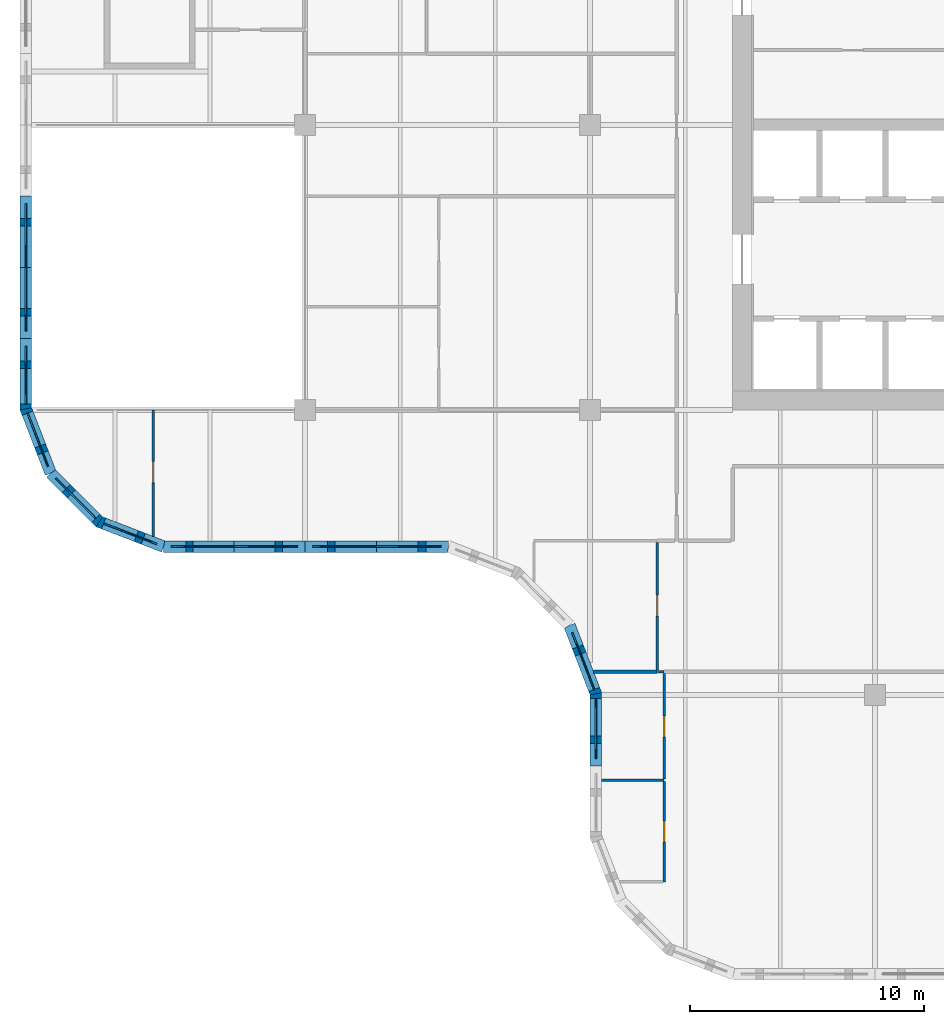
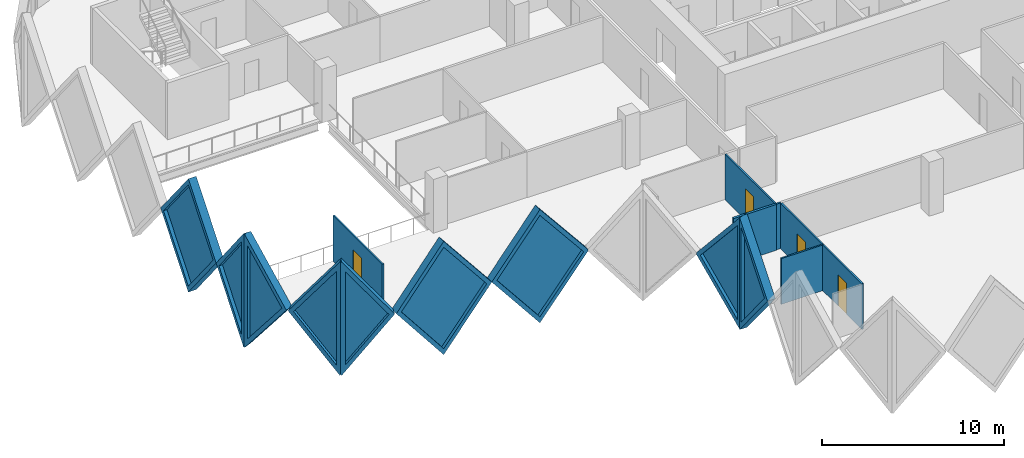
# One storey, part 4 of 18: 16 walls, 9 plates, 4 doors, 13 openings.
"""IFC4 building model written with IfcOpenShell, lengths in metres."""

import ifcopenshell
import ifcopenshell.guid

model = None  # the IFC model being written
_history = None  # IfcOwnerHistory: only IFC2X3 demands one
_inside = {}  # id of a spatial element -> (the spatial element, [elements in it])
_under = {}  # id of a project, library or spatial element -> (it, [spatial elements below it])
_declared = {}  # id of a project -> (the project, [libraries it declares])
_typed = {}  # id of a type object -> (the type object, [elements of that type])
_made_of = {}  # id of a material, layer set ... -> (it, [elements and type objects made of it])


def new_model(schema):
    """Start an empty IFC model of exactly this schema.

    Asked for "IFC4X3", IfcOpenShell would pick the latest addendum, in which some entities
    have other attributes; the version numbers below select the first issue.
    IFC2X3 requires an IfcOwnerHistory on every rooted entity: one is made here for all.
    """
    global model, _history
    if schema == "IFC4X3":
        model = ifcopenshell.file(schema_version=(4, 3, 0, 0))
    else:
        model = ifcopenshell.file(schema=schema)
    _inside.clear()
    _under.clear()
    _declared.clear()
    _typed.clear()
    _made_of.clear()
    _history = None
    if model.schema == "IFC2X3":
        org = make("IfcOrganization", Name="unknown")
        user = make(
            "IfcPersonAndOrganization",
            ThePerson=make("IfcPerson", FamilyName="unknown"),
            TheOrganization=org,
        )
        app = make(
            "IfcApplication",
            ApplicationDeveloper=org,
            Version="unknown",
            ApplicationFullName="unknown",
            ApplicationIdentifier="unknown",
        )
        _history = make(
            "IfcOwnerHistory",
            OwningUser=user,
            OwningApplication=app,
            ChangeAction="ADDED",
            CreationDate=0,
        )
    return model


def make(cls, **values):
    """One entity of the class cls with the attributes given. An attribute that is None is left unset."""
    return model.create_entity(
        cls, **{name: value for name, value in values.items() if value is not None}
    )


def rooted(cls, **values):
    """An entity with a GlobalId (a new one), such as an element, a storey or a relation."""
    return make(cls, GlobalId=ifcopenshell.guid.new(), OwnerHistory=_history, **values)


def si_unit(unit_type, name, prefix=None):
    """IfcSIUnit, for example si_unit("LENGTHUNIT", "METRE", prefix="MILLI")."""
    return make("IfcSIUnit", UnitType=unit_type, Prefix=prefix, Name=name)


def assignment(units):
    """IfcUnitAssignment: the units of a project."""
    return None if units is None else make("IfcUnitAssignment", Units=units)


def point(xyz):
    """IfcCartesianPoint."""
    return None if xyz is None else make("IfcCartesianPoint", Coordinates=xyz)


def direction(xyz):
    """IfcDirection."""
    return None if xyz is None else make("IfcDirection", DirectionRatios=xyz)


def frame(location, z_axis=None, x_axis=None):
    """IfcAxis2Placement3D, a coordinate frame: its origin and axes. An axis left out is left unset."""
    return make(
        "IfcAxis2Placement3D",
        Location=point(location),
        Axis=direction(z_axis),
        RefDirection=direction(x_axis),
    )


def frame_2d(location, x_axis=None):
    """IfcAxis2Placement2D, a coordinate frame in the plane: its origin and x axis."""
    return make(
        "IfcAxis2Placement2D", Location=point(location), RefDirection=direction(x_axis)
    )


def origin():
    """The frame at (0, 0, 0) with its axes left unset."""
    return frame((0.0, 0.0, 0.0))


def place(relative_to, where):
    """IfcLocalPlacement: puts the frame where relative to a parent placement (None: the world)."""
    return make(
        "IfcLocalPlacement", PlacementRelTo=relative_to, RelativePlacement=where
    )


def context(
    kind, dimensions, precision=None, world=None, true_north=None, identifier=None
):
    """IfcGeometricRepresentationContext, for example the 3D "Model" context."""
    return make(
        "IfcGeometricRepresentationContext",
        ContextIdentifier=identifier,
        ContextType=kind,
        CoordinateSpaceDimension=dimensions,
        Precision=precision,
        WorldCoordinateSystem=world,
        TrueNorth=true_north,
    )


def subcontext(parent, identifier, kind, view, scale=None):
    """IfcGeometricRepresentationSubContext, for example "Body" below "Model"."""
    return make(
        "IfcGeometricRepresentationSubContext",
        ContextIdentifier=identifier,
        ContextType=kind,
        ParentContext=parent,
        TargetScale=scale,
        TargetView=view,
    )


def project(units=None, contexts=None):
    """IfcProject with its units and contexts."""
    return rooted(
        "IfcProject",
        Name="project",
        RepresentationContexts=contexts,
        UnitsInContext=assignment(units),
    )


def spatial(cls, under=None, at=None, **own):
    """A site, building, storey or space (cls), placed at a placement, below another one or the project."""
    s = rooted(cls, ObjectPlacement=at, **own)
    if under is not None:
        _under.setdefault(under.id(), (under, []))[1].append(s)
    return s


def polyline(points):
    """IfcPolyline through the points."""
    return make("IfcPolyline", Points=[point(p) for p in points])


def profile(cls, at=None, kind="AREA", **sizes):
    """A parametric profile (cls). Its sizes go by their IFC names, for example OverallWidth=200.0."""
    return make(cls, ProfileType=kind, Position=at, **sizes)


def rectangle(**sizes):
    """IfcRectangleProfileDef."""
    return profile("IfcRectangleProfileDef", **sizes)


def outline(outer, holes=None, kind="AREA"):
    """IfcArbitraryClosedProfileDef: a profile drawn as a closed curve; with holes, ...WithVoids."""
    if holes is None:
        return make("IfcArbitraryClosedProfileDef", ProfileType=kind, OuterCurve=outer)
    return make(
        "IfcArbitraryProfileDefWithVoids",
        ProfileType=kind,
        OuterCurve=outer,
        InnerCurves=holes,
    )


def extrude(swept, where, along, depth):
    """IfcExtrudedAreaSolid: the profile swept, set in the frame where, extruded along a direction by depth."""
    return make(
        "IfcExtrudedAreaSolid",
        SweptArea=swept,
        Position=where,
        ExtrudedDirection=direction(along),
        Depth=depth,
    )


def faces_of(points, faces, orient=None, outer=None):
    """IfcFace entities. A face is a list of loops; a loop is a list of indices into points, from 0.

    orient and outer hold one flag for each loop. By default every Orientation is true, the
    first loop of a face is its IfcFaceOuterBound and the others are IfcFaceBound.
    """
    made = []
    for i, loops in enumerate(faces):
        bounds = []
        for j, loop in enumerate(loops):
            is_outer = j == 0 if outer is None else outer[i][j]
            bounds.append(
                make(
                    "IfcFaceOuterBound" if is_outer else "IfcFaceBound",
                    Bound=make("IfcPolyLoop", Polygon=[points[k] for k in loop]),
                    Orientation=True if orient is None else orient[i][j],
                )
            )
        made.append(make("IfcFace", Bounds=bounds))
    return made


def faceted_brep(points, faces, orient=None, outer=None, voids=None):
    """IfcFacetedBrep: a solid bounded by flat faces; with voids (closed shells), ...WithVoids."""
    shared = [point(p) for p in points]
    hull = make("IfcClosedShell", CfsFaces=faces_of(shared, faces, orient, outer))
    if voids is None:
        return make("IfcFacetedBrep", Outer=hull)
    return make(
        "IfcFacetedBrepWithVoids",
        Outer=hull,
        Voids=[
            make(cls, CfsFaces=faces_of(shared, fs, o, b)) for cls, fs, o, b in voids
        ],
    )


def shape(context_of_items, identifier, shape_type, items):
    """IfcShapeRepresentation: the items that make up one representation, for example the "Body"."""
    return make(
        "IfcShapeRepresentation",
        ContextOfItems=context_of_items,
        RepresentationIdentifier=identifier,
        RepresentationType=shape_type,
        Items=items,
    )


def source(mapping_origin, context_of_items, identifier, shape_type, items):
    """IfcRepresentationMap: a shape defined once, which mapped items show again and again."""
    return make(
        "IfcRepresentationMap",
        MappingOrigin=mapping_origin,
        MappedRepresentation=shape(context_of_items, identifier, shape_type, items),
    )


def transform(
    local_origin,
    x_axis=None,
    y_axis=None,
    z_axis=None,
    scale=None,
    scale2=None,
    scale3=None,
    uniform=True,
):
    """IfcCartesianTransformationOperator3D, or its non-uniform kind. x_axis, y_axis, z_axis: its Axis1, 2, 3."""
    if uniform:
        return make(
            "IfcCartesianTransformationOperator3D",
            Axis1=direction(x_axis),
            Axis2=direction(y_axis),
            LocalOrigin=point(local_origin),
            Scale=scale,
            Axis3=direction(z_axis),
        )
    return make(
        "IfcCartesianTransformationOperator3DnonUniform",
        Axis1=direction(x_axis),
        Axis2=direction(y_axis),
        LocalOrigin=point(local_origin),
        Scale=scale,
        Axis3=direction(z_axis),
        Scale2=scale2,
        Scale3=scale3,
    )


def mapped(mapping_source, mapping_target):
    """IfcMappedItem: shows the shape of a source again, moved by a transform."""
    return make(
        "IfcMappedItem", MappingSource=mapping_source, MappingTarget=mapping_target
    )


def material(Name=None, Category=None):
    """IfcMaterial."""
    return make("IfcMaterial", Name=Name, Category=Category)


def layer(
    of_material, thickness, ventilated=None, Name=None, Category=None, Priority=None
):
    """IfcMaterialLayer: one layer of a wall or slab, of a material (None: an air gap)."""
    return make(
        "IfcMaterialLayer",
        Material=of_material,
        LayerThickness=thickness,
        IsVentilated=ventilated,
        Name=Name,
        Category=Category,
        Priority=Priority,
    )


def layer_set(layers, Name=None):
    """IfcMaterialLayerSet."""
    return make("IfcMaterialLayerSet", MaterialLayers=layers, LayerSetName=Name)


def made_of(thing, what):
    """Note that an element or type object is made of a material, layer set ...; save() writes the relation."""
    if what is not None:
        _made_of.setdefault(what.id(), (what, []))[1].append(thing)
    return thing


def type_object(cls, material=None, **own):
    """A type object (cls), such as IfcWallType, which elements share."""
    return made_of(rooted(cls, **own), material)


def element(
    cls,
    number,
    at=None,
    inside=None,
    cuts=None,
    type_object=None,
    material=None,
    context=None,
    identifier="Body",
    shape_type=None,
    held_by="IfcProductDefinitionShape",
    body=None,
    shapes=None,
    **own,
):
    """One element of the class cls, such as IfcWall. Its Tag is "e" and its number.

    at: its placement. inside: the storey or other place that contains it. cuts: it is an
    opening in that element (IfcRelVoidsElement). A single representation is given by context,
    identifier, shape_type and body (its items); several are given by shapes. held_by: the class
    of the entity that holds the representations. save() writes the other relations.
    """
    e = rooted(cls, Tag="e%d" % number, ObjectPlacement=at, **own)
    if body is not None:
        shapes = [shape(context, identifier, shape_type, body)]
    if shapes is not None:
        e.Representation = make(held_by, Representations=shapes)
    if inside is not None:
        _inside.setdefault(inside.id(), (inside, []))[1].append(e)
    if cuts is not None:
        rooted(
            "IfcRelVoidsElement", RelatingBuildingElement=cuts, RelatedOpeningElement=e
        )
    if type_object is not None:
        _typed.setdefault(type_object.id(), (type_object, []))[1].append(e)
    return made_of(e, material)


def fill(opening, filler):
    """IfcRelFillsElement: the door or window that sits in an opening."""
    return rooted(
        "IfcRelFillsElement",
        RelatingOpeningElement=opening,
        RelatedBuildingElement=filler,
    )


def aggregate(whole, parts):
    """IfcRelAggregates: a whole, such as a stair, and the parts it consists of."""
    return rooted("IfcRelAggregates", RelatingObject=whole, RelatedObjects=parts)


def save(model, path):
    """Write the relations noted so far, then the file.

    IfcRelAggregates (storeys below a building ...), IfcRelContainedInSpatialStructure (elements
    in a storey), IfcRelDefinesByType, IfcRelAssociatesMaterial and IfcRelDeclares: one each for
    every whole, place, type object, material and project.
    """
    for whole, parts in _under.values():
        aggregate(whole, parts)
    for where, things in _inside.values():
        rooted(
            "IfcRelContainedInSpatialStructure",
            RelatedElements=things,
            RelatingStructure=where,
        )
    for kind, things in _typed.values():
        rooted("IfcRelDefinesByType", RelatedObjects=things, RelatingType=kind)
    for what, things in _made_of.values():
        rooted("IfcRelAssociatesMaterial", RelatedObjects=things, RelatingMaterial=what)
    for by, libraries in _declared.values():
        rooted("IfcRelDeclares", RelatingContext=by, RelatedDefinitions=libraries)
    model.write(path)


model = new_model("IFC4")

# Units and contexts
model_context = context("Model", 3, precision=1e-05, world=origin(), true_north=direction((0.0, 1.0)))
body_context = subcontext(model_context, "Body", "Model", "MODEL_VIEW")
ifc_project = project(units=[si_unit("LENGTHUNIT", "METRE"), si_unit("AREAUNIT", "SQUARE_METRE"), si_unit("VOLUMEUNIT", "CUBIC_METRE"), si_unit("PLANEANGLEUNIT", "RADIAN"), si_unit("MASSUNIT", "GRAM", prefix="KILO")], contexts=[model_context])

# Site, building, storey
site_placement = place(None, origin())
site = spatial("IfcSite", under=ifc_project, at=site_placement, CompositionType="ELEMENT")
building_placement = place(site_placement, origin())
building = spatial("IfcBuilding", under=site, at=building_placement, Name="Tessera Gate Towers", CompositionType="ELEMENT")
storey_placement = place(building_placement, frame((0.0, 0.0, 95.199951171875)))
storey = spatial("IfcBuildingStorey", under=building, at=storey_placement, Name="L23", CompositionType="ELEMENT", Elevation=95.199951171875)

# Wall, opening, door
ifc_material_1 = material(Name="Glass", Category="glass")
ifc_layer_1 = layer(ifc_material_1, 0.10009765625)
ifc_layer_set_1 = layer_set([ifc_layer_1], Name="GLAZED PARTITION 100")
wall_type_1 = type_object("IfcWallType", Name="GLAZED PARTITION 100", PredefinedType="PARTITIONING", material=ifc_layer_set_1)
wall_1_placement = place(storey_placement, frame((27.574951171875, 4.199951171875, 0.0), z_axis=(0.0, 0.0, 1.0), x_axis=(0.0, 1.0, 0.0)))
wall_1 = element("IfcWall", 1, at=wall_1_placement, inside=storey, type_object=wall_type_1, Name="T1-L23-PW-004", PredefinedType="PARTITIONING", context=body_context, shape_type="SweptSolid", body=[
    extrude(rectangle(XDim=4.296875, YDim=0.10009765625, at=frame_2d((2.1484375, 0.0))), origin(), (0.0, 0.0, 1.0), 3.067138671875),
])
shared_shape_1 = source(origin(), body_context, "Body", "SweptSolid", [
    extrude(rectangle(XDim=0.89990234375, YDim=2.10009765625, at=frame_2d((0.449951171875, 1.050048828125))), frame((0.0, 0.06005859375, 0.0), z_axis=(0.0, -1.0, 0.0), x_axis=(1.0, 0.0, 0.0)), (0.0, 0.0, 1.0), 0.1201171875),
])
opening_1_placement = place(wall_1_placement, frame((1.699951171875, 0.0, 0.0)))
opening_1 = element("IfcOpeningElement", 2, at=opening_1_placement, cuts=wall_1, Name="Opening D690-A08-08", PredefinedType="OPENING", context=body_context, shape_type="MappedRepresentation", body=[
    mapped(shared_shape_1, transform((0.0, 0.0, 0.0), scale=1.0)),
])
ifc_material_2 = material(Name="Glass in aluminium frame", Category="aluminium")
door_type = type_object("IfcDoorType", Name="GLAZED DOOR 900 NOT RATED", OperationType="NOTDEFINED", PredefinedType="DOOR", material=ifc_material_2)
shared_shape_2 = source(origin(), body_context, "Body", "SweptSolid", [
    extrude(rectangle(XDim=0.89990234375, YDim=2.10009765625, at=frame_2d((0.449951171875, 1.050048828125))), frame((0.0, 0.02490234375, 0.0), z_axis=(0.0, -1.0, 0.0), x_axis=(1.0, 0.0, 0.0)), (0.0, 0.0, 1.0), 0.050048828125),
])
door_1_placement = place(opening_1_placement, origin())
door_1 = element("IfcDoor", 3, at=door_1_placement, inside=storey, type_object=door_type, Name="T1-L23-PD-016", OperationType="SINGLE_SWING_LEFT", OverallHeight=2.10009765625, OverallWidth=0.89990234375, PredefinedType="DOOR", context=body_context, shape_type="MappedRepresentation", body=[
    mapped(shared_shape_2, transform((0.0, 0.0, 0.0), scale=1.0)),
])
fill(opening_1, door_1)

wall_2_placement = place(storey_placement, frame((27.574951171875, 8.598876953125, 0.0), z_axis=(0.0, 0.0, 1.0), x_axis=(0.0, 1.0, 0.0)))
wall_2 = element("IfcWall", 4, at=wall_2_placement, inside=storey, type_object=wall_type_1, Name="T1-L23-PW-007", PredefinedType="PARTITIONING", context=body_context, shape_type="SweptSolid", body=[
    extrude(rectangle(XDim=4.525146484375, YDim=0.10009765625, at=frame_2d((2.2626953125, 0.0))), origin(), (0.0, 0.0, 1.0), 3.067138671875),
])
opening_2_placement = place(wall_2_placement, frame((1.800048828125, 0.0, 0.0)))
opening_2 = element("IfcOpeningElement", 5, at=opening_2_placement, cuts=wall_2, Name="Opening D690-A08-02", PredefinedType="OPENING", context=body_context, shape_type="MappedRepresentation", body=[
    mapped(shared_shape_1, transform((0.0, 0.0, 0.0), scale=1.0)),
])
door_2_placement = place(opening_2_placement, origin())
door_2 = element("IfcDoor", 6, at=door_2_placement, inside=storey, type_object=door_type, Name="T1-L23-PD-005", OperationType="SINGLE_SWING_LEFT", OverallHeight=2.10009765625, OverallWidth=0.89990234375, PredefinedType="DOOR", context=body_context, shape_type="MappedRepresentation", body=[
    mapped(shared_shape_2, transform((0.0, 0.0, 0.0), scale=1.0)),
])
fill(opening_2, door_2)

# Wall
wall_3_placement = place(storey_placement, frame((27.27587890625, 13.199951171875, 0.0), z_axis=(0.0, 0.0, 1.0), x_axis=(1.0, 0.0, 0.0)))
element("IfcWall", 7, at=wall_3_placement, inside=storey, type_object=wall_type_1, Name="T1-L23-PW-010", PredefinedType="PARTITIONING", context=body_context, shape_type="SweptSolid", body=[
    extrude(rectangle(XDim=0.298095703125, YDim=0.10009765625, at=frame_2d((0.14892578125, 0.0))), origin(), (0.0, 0.0, 1.0), 3.067138671875),
])

# Wall, opening, door
wall_4_placement = place(storey_placement, frame((27.27490234375, 13.27587890625, 0.0), z_axis=(0.0, 0.0, 1.0), x_axis=(0.0, 1.0, 0.0)))
wall_4 = element("IfcWall", 8, at=wall_4_placement, inside=storey, type_object=wall_type_1, Name="T1-L23-PW-012", PredefinedType="PARTITIONING", context=body_context, shape_type="SweptSolid", body=[
    extrude(rectangle(XDim=5.4482421875, YDim=0.10009765625, at=frame_2d((2.72412109375, 0.0))), origin(), (0.0, 0.0, 1.0), 3.067138671875),
])
opening_3_placement = place(wall_4_placement, frame((2.300048828125, 0.0, 0.0)))
opening_3 = element("IfcOpeningElement", 9, at=opening_3_placement, cuts=wall_4, Name="Opening D690-A08-05", PredefinedType="OPENING", context=body_context, shape_type="MappedRepresentation", body=[
    mapped(shared_shape_1, transform((0.0, 0.0, 0.0), scale=1.0)),
])
door_3_placement = place(opening_3_placement, origin())
door_3 = element("IfcDoor", 10, at=door_3_placement, inside=storey, type_object=door_type, Name="T1-L23-PD-010", OperationType="SINGLE_SWING_LEFT", OverallHeight=2.10009765625, OverallWidth=0.89990234375, PredefinedType="DOOR", context=body_context, shape_type="MappedRepresentation", body=[
    mapped(shared_shape_2, transform((0.0, 0.0, 0.0), scale=1.0)),
])
fill(opening_3, door_3)

wall_5_placement = place(storey_placement, frame((5.699951171875, 18.990234375, 0.0), z_axis=(0.0, 0.0, 1.0), x_axis=(0.0, 1.0, 0.0)))
wall_5 = element("IfcWall", 11, at=wall_5_placement, inside=storey, type_object=wall_type_1, Name="T1-L23-PW-021", PredefinedType="PARTITIONING", context=body_context, shape_type="SweptSolid", body=[
    extrude(rectangle(XDim=5.40966796875, YDim=0.10009765625, at=frame_2d((2.704833984375, 0.0))), origin(), (0.0, 0.0, 1.0), 3.067138671875),
])
opening_4_placement = place(wall_5_placement, frame((2.300048828125, 0.0, 0.0)))
opening_4 = element("IfcOpeningElement", 12, at=opening_4_placement, cuts=wall_5, Name="Opening D690-A08-04", PredefinedType="OPENING", context=body_context, shape_type="MappedRepresentation", body=[
    mapped(shared_shape_1, transform((0.0, 0.0, 0.0), scale=1.0)),
])
door_4_placement = place(opening_4_placement, origin())
door_4 = element("IfcDoor", 13, at=door_4_placement, inside=storey, type_object=door_type, Name="T1-L23-PD-009", OperationType="SINGLE_SWING_LEFT", OverallHeight=2.10009765625, OverallWidth=0.89990234375, PredefinedType="DOOR", context=body_context, shape_type="MappedRepresentation", body=[
    mapped(shared_shape_2, transform((0.0, 0.0, 0.0), scale=1.0)),
])
fill(opening_4, door_4)

# Walls
ifc_material_3 = material(Name="Gypsum board on steel studs", Category="steel")
ifc_layer_2 = layer(ifc_material_3, 0.10009765625)
ifc_layer_set_2 = layer_set([ifc_layer_2], Name="PARTITION 100")
wall_type_2 = type_object("IfcWallType", Name="PARTITION 100", PredefinedType="PARTITIONING", material=ifc_layer_set_2)
wall_6_placement = place(storey_placement, frame((24.89990234375, 8.548095703125, 0.0), z_axis=(0.0, 0.0, 1.0), x_axis=(1.0, 0.0, 0.0)))
element("IfcWall", 14, at=wall_6_placement, inside=storey, type_object=wall_type_2, Name="T1-L23-PW-006", PredefinedType="PARTITIONING", context=body_context, shape_type="SweptSolid", body=[
    extrude(rectangle(XDim=2.675048828125, YDim=0.10009765625, at=frame_2d((1.33740234375, 0.0))), origin(), (0.0, 0.0, 1.0), 3.067138671875),
])
ifc_material_4 = material(Name="Gypsum board on steel studs, mineral wool", Category="steel")
ifc_layer_3 = layer(ifc_material_4, 0.14990234375)
ifc_layer_set_3 = layer_set([ifc_layer_3], Name="TENANCY WALL 150")
wall_type_3 = type_object("IfcWallType", Name="TENANCY WALL 150", PredefinedType="PARTITIONING", material=ifc_layer_set_3)
wall_7_placement = place(storey_placement, frame((24.55029296875, 13.199951171875, 0.0), z_axis=(0.0, 0.0, 1.0), x_axis=(1.0, 0.0, 0.0)))
element("IfcWall", 15, at=wall_7_placement, inside=storey, type_object=wall_type_3, Name="T1-L23-PW-009", PredefinedType="PARTITIONING", context=body_context, shape_type="SweptSolid", body=[
    extrude(rectangle(XDim=2.724609375, YDim=0.14990234375, at=frame_2d((1.3623046875, 0.0))), origin(), (0.0, 0.0, 1.0), 3.067138671875),
])

# Wall, opening, plate
ifc_material_5 = material(Name="Precast concrete C60/75 white", Category="concrete")
ifc_layer_4 = layer(ifc_material_5, 0.5)
ifc_layer_set_4 = layer_set([ifc_layer_4], Name="TS1 tessera")
wall_type_4 = type_object("IfcWallType", Name="TS1 tessera", PredefinedType="SOLIDWALL", material=ifc_layer_set_4)
shared_shape_3 = source(origin(), body_context, "Body", "Brep", [
    faceted_brep([(3.00341796875, -0.25, 0.0), (6.053466796875, -0.25, 3.800048828125), (3.00341796875, -0.25, 7.60009765625), (0.0, -0.25, 3.800048828125), (0.046630859375, 0.25, 3.85888671875), (3.00341796875, 0.25, 7.60009765625), (6.053466796875, 0.25, 3.800048828125), (3.00341796875, 0.25, 0.0), (0.046630859375, 0.25, 3.7412109375), (0.0, 0.0, 3.800048828125)], [[[0, 1, 2, 3]], [[4, 5, 6, 7, 8]], [[7, 6, 1, 0]], [[6, 5, 2, 1]], [[5, 4, 9, 3, 2]], [[8, 7, 0, 3, 9]], [[8, 9, 4]]]),
])
wall_8_placement = place(storey_placement, frame((6.146484375, 18.550048828125, -3.800048828125), z_axis=(0.0, 0.0, 1.0), x_axis=(1.0, 0.0, 0.0)))
wall_8 = element("IfcWall", 16, at=wall_8_placement, inside=storey, type_object=wall_type_4, Name="Precast tessera T1 TS1-0389", PredefinedType="SOLIDWALL", context=body_context, shape_type="MappedRepresentation", body=[
    mapped(shared_shape_3, transform((0.0, 0.0, 0.0), scale=1.0)),
])
shared_shape_4 = source(origin(), body_context, "Body", "SweptSolid", [
    extrude(outline(polyline([(3.0048828125, 0.4013671875), (5.73291015625, 3.800048828125), (3.0048828125, 7.19873046875), (0.318603515625, 3.800048828125), (3.0048828125, 0.4013671875)])), frame((0.0, 0.260009765625, 0.0), z_axis=(0.0, -1.0, 0.0), x_axis=(1.0, 0.0, 0.0)), (0.0, 0.0, 1.0), 0.52001953125),
])
opening_5_placement = place(wall_8_placement, origin())
opening_5 = element("IfcOpeningElement", 17, at=opening_5_placement, cuts=wall_8, Name="Opening T1-PL2-0789", PredefinedType="OPENING", context=body_context, shape_type="MappedRepresentation", body=[
    mapped(shared_shape_4, transform((0.0, 0.0, 0.0), scale=1.0)),
])
ifc_material_6 = material(Name="Low-e laminated glass", Category="glass")
ifc_layer_5 = layer(ifc_material_6, 0.06005859375)
ifc_layer_set_5 = layer_set([ifc_layer_5], Name="PL2 rhombic pane")
plate_type = type_object("IfcPlateType", Name="PL2 rhombic pane", PredefinedType="SHEET", material=ifc_layer_set_5)
shared_shape_5 = source(origin(), body_context, "Body", "SweptSolid", [
    extrude(outline(polyline([(3.0048828125, 0.4013671875), (5.73291015625, 3.800048828125), (3.0048828125, 7.19873046875), (0.318603515625, 3.800048828125), (3.0048828125, 0.4013671875)])), frame((0.0, 0.030029296875, 0.0), z_axis=(0.0, -1.0, 0.0), x_axis=(1.0, 0.0, 0.0)), (0.0, 0.0, 1.0), 0.06005859375),
])
plate_1_placement = place(opening_5_placement, origin())
plate_1 = element("IfcPlate", 18, at=plate_1_placement, inside=storey, type_object=plate_type, Name="Glass pane T1 PL2-0789", PredefinedType="SHEET", context=body_context, shape_type="MappedRepresentation", body=[
    mapped(shared_shape_5, transform((0.0, 0.0, 0.0), scale=1.0)),
])
fill(opening_5, plate_1)

shared_shape_6 = source(origin(), body_context, "Body", "SweptSolid", [
    extrude(outline(polyline([(3.050048828125, 0.0), (6.10009765625, 3.800048828125), (3.050048828125, 7.60009765625), (0.0, 3.800048828125), (3.050048828125, 0.0)])), frame((0.0, 0.25, 0.0), z_axis=(0.0, -1.0, 0.0), x_axis=(1.0, 0.0, 0.0)), (0.0, 0.0, 1.0), 0.5),
])
wall_9_placement = place(storey_placement, frame((0.25, 33.550048828125, -3.800048828125), z_axis=(0.0, 0.0, 1.0), x_axis=(0.0, -1.0, 0.0)))
wall_9 = element("IfcWall", 19, at=wall_9_placement, inside=storey, type_object=wall_type_4, Name="Precast tessera T1 TS1-0388", PredefinedType="SOLIDWALL", context=body_context, shape_type="MappedRepresentation", body=[
    mapped(shared_shape_6, transform((0.0, 0.0, 0.0), scale=1.0)),
])
shared_shape_7 = source(origin(), body_context, "Body", "SweptSolid", [
    extrude(outline(polyline([(3.050048828125, 0.3994140625), (5.779541015625, 3.800048828125), (3.050048828125, 7.20068359375), (0.320556640625, 3.800048828125), (3.050048828125, 0.3994140625)])), frame((0.0, 0.260009765625, 0.0), z_axis=(0.0, -1.0, 0.0), x_axis=(1.0, 0.0, 0.0)), (0.0, 0.0, 1.0), 0.52001953125),
])
opening_6_placement = place(wall_9_placement, origin())
opening_6 = element("IfcOpeningElement", 20, at=opening_6_placement, cuts=wall_9, Name="Opening T1-PL2-0784", PredefinedType="OPENING", context=body_context, shape_type="MappedRepresentation", body=[
    mapped(shared_shape_7, transform((0.0, 0.0, 0.0), scale=1.0)),
])
shared_shape_8 = source(origin(), body_context, "Body", "SweptSolid", [
    extrude(outline(polyline([(3.050048828125, 0.3994140625), (5.779541015625, 3.800048828125), (3.050048828125, 7.20068359375), (0.320556640625, 3.800048828125), (3.050048828125, 0.3994140625)])), frame((0.0, 0.030029296875, 0.0), z_axis=(0.0, -1.0, 0.0), x_axis=(1.0, 0.0, 0.0)), (0.0, 0.0, 1.0), 0.06005859375),
])
plate_2_placement = place(opening_6_placement, origin())
plate_2 = element("IfcPlate", 21, at=plate_2_placement, inside=storey, type_object=plate_type, Name="Glass pane T1 PL2-0784", PredefinedType="SHEET", context=body_context, shape_type="MappedRepresentation", body=[
    mapped(shared_shape_8, transform((0.0, 0.0, 0.0), scale=1.0)),
])
fill(opening_6, plate_2)

ifc_material_7 = material(Name="Precast concrete C60/75 white", Category="concrete")
ifc_layer_6 = layer(ifc_material_7, 0.5)
ifc_layer_set_6 = layer_set([ifc_layer_6], Name="TS3 corner tessera")
wall_type_5 = type_object("IfcWallType", Name="TS3 corner tessera", PredefinedType="SOLIDWALL", material=ifc_layer_set_6)
shared_shape_9 = source(origin(), body_context, "Body", "Brep", [
    faceted_brep([(3.00341796875, -0.25, 0.0), (3.050048828125, -0.25, 0.06005859375), (3.050048828125, -0.25, 7.5400390625), (3.00341796875, -0.25, 7.60009765625), (0.0, -0.25, 3.800048828125), (0.0, 0.25, 3.800048828125), (2.956787109375, 0.25, 7.541259765625), (2.956787109375, 0.25, 0.058837890625), (3.00341796875, 0.000244140625, 0.0), (3.00341796875, 0.000244140625, 7.60009765625)], [[[0, 1, 2, 3, 4]], [[5, 6, 7]], [[1, 0, 8]], [[9, 3, 2]], [[6, 5, 4, 3, 9]], [[5, 7, 8, 0, 4]], [[1, 8, 7, 6, 9, 2]]]),
])
wall_10_placement = place(storey_placement, frame((0.25, 27.449951171875, -3.800048828125), z_axis=(0.0, 0.0, 1.0), x_axis=(0.0, -1.0, 0.0)))
wall_10 = element("IfcWall", 22, at=wall_10_placement, inside=storey, type_object=wall_type_5, Name="Precast corner tessera T1 TS3-0517", PredefinedType="SOLIDWALL", context=body_context, shape_type="MappedRepresentation", body=[
    mapped(shared_shape_9, transform((0.0, 0.0, 0.0), scale=1.0)),
])
shared_shape_10 = source(origin(), body_context, "Body", "SweptSolid", [
    extrude(outline(polyline([(2.803466796875, 6.94384765625), (0.318603515625, 3.800048828125), (2.803466796875, 0.65625), (2.803466796875, 6.94384765625)])), frame((0.0, 0.260009765625, 0.0), z_axis=(0.0, -1.0, 0.0), x_axis=(1.0, 0.0, 0.0)), (0.0, 0.0, 1.0), 0.52001953125),
])
opening_7_placement = place(wall_10_placement, origin())
opening_7 = element("IfcOpeningElement", 23, at=opening_7_placement, cuts=wall_10, Name="Opening T1-PL2-0785", PredefinedType="OPENING", context=body_context, shape_type="MappedRepresentation", body=[
    mapped(shared_shape_10, transform((0.0, 0.0, 0.0), scale=1.0)),
])
shared_shape_11 = source(origin(), body_context, "Body", "SweptSolid", [
    extrude(outline(polyline([(2.803466796875, 6.94384765625), (0.318603515625, 3.800048828125), (2.803466796875, 0.65625), (2.803466796875, 6.94384765625)])), frame((0.0, 0.030029296875, 0.0), z_axis=(0.0, -1.0, 0.0), x_axis=(1.0, 0.0, 0.0)), (0.0, 0.0, 1.0), 0.06005859375),
])
plate_3_placement = place(opening_7_placement, origin())
plate_3 = element("IfcPlate", 24, at=plate_3_placement, inside=storey, type_object=plate_type, Name="Glass pane T1 PL2-0785", PredefinedType="SHEET", context=body_context, shape_type="MappedRepresentation", body=[
    mapped(shared_shape_11, transform((0.0, 0.0, 0.0), scale=1.0)),
])
fill(opening_7, plate_3)

shared_shape_12 = source(origin(), body_context, "Body", "Brep", [
    faceted_brep([(0.046630859375, -0.25, 0.0), (2.9970703125, -0.25, 3.800048828125), (0.046630859375, -0.25, 7.60009765625), (0.0, -0.25, 7.541259765625), (0.0, -0.25, 0.058837890625), (0.09326171875, 0.25, 7.5400390625), (2.9443359375, 0.25, 3.8681640625), (2.9443359375, 0.25, 3.73193359375), (0.09326171875, 0.25, 0.06005859375), (2.9970703125, 0.00048828125, 3.800048828125), (0.046630859375, 0.0, 0.0), (0.046630859375, 0.0, 7.60009765625)], [[[0, 1, 2, 3, 4]], [[5, 6, 7, 8]], [[8, 7, 9, 1, 0, 10]], [[6, 5, 11, 2, 1, 9]], [[3, 2, 11]], [[10, 0, 4]], [[8, 10, 4, 3, 11, 5]], [[9, 7, 6]]]),
])
wall_11_placement = place(storey_placement, frame((0.233154296875, 24.489990234375, -3.800048828125), z_axis=(0.0, 0.0, 1.0), x_axis=(0.359901446078, -0.932990326376, 0.0)))
wall_11 = element("IfcWall", 25, at=wall_11_placement, inside=storey, type_object=wall_type_5, Name="Precast corner tessera T1 TS3-0518", PredefinedType="SOLIDWALL", context=body_context, shape_type="MappedRepresentation", body=[
    mapped(shared_shape_12, transform((0.0, 0.0, 0.0), scale=1.0)),
])
shared_shape_13 = source(origin(), body_context, "Body", "SweptSolid", [
    extrude(outline(polyline([(0.24658203125, 0.665283203125), (2.6806640625, 3.800048828125), (0.24658203125, 6.934814453125), (0.24658203125, 0.665283203125)])), frame((0.0, 0.260009765625, 0.0), z_axis=(0.0, -1.0, 0.0), x_axis=(1.0, 0.0, 0.0)), (0.0, 0.0, 1.0), 0.52001953125),
])
opening_8_placement = place(wall_11_placement, origin())
opening_8 = element("IfcOpeningElement", 26, at=opening_8_placement, cuts=wall_11, Name="Opening T1-PL2-0786", PredefinedType="OPENING", context=body_context, shape_type="MappedRepresentation", body=[
    mapped(shared_shape_13, transform((0.0, 0.0, 0.0), scale=1.0)),
])
shared_shape_14 = source(origin(), body_context, "Body", "SweptSolid", [
    extrude(outline(polyline([(0.24658203125, 0.665283203125), (2.6806640625, 3.800048828125), (0.24658203125, 6.934814453125), (0.24658203125, 0.665283203125)])), frame((0.0, 0.030029296875, 0.0), z_axis=(0.0, -1.0, 0.0), x_axis=(1.0, 0.0, 0.0)), (0.0, 0.0, 1.0), 0.06005859375),
])
plate_4_placement = place(opening_8_placement, origin())
plate_4 = element("IfcPlate", 27, at=plate_4_placement, inside=storey, type_object=plate_type, Name="Glass pane T1 PL2-0786", PredefinedType="SHEET", context=body_context, shape_type="MappedRepresentation", body=[
    mapped(shared_shape_14, transform((0.0, 0.0, 0.0), scale=1.0)),
])
fill(opening_8, plate_4)

shared_shape_15 = source(origin(), body_context, "Body", "Brep", [
    faceted_brep([(0.052978515625, -0.25, 0.0), (3.00341796875, -0.25, 3.800048828125), (0.052978515625, -0.25, 7.60009765625), (0.0, -0.25, 7.53173828125), (0.0, -0.25, 0.068359375), (0.10595703125, 0.25, 7.531982421875), (2.95703125, 0.25, 3.85986328125), (2.95703125, 0.25, 3.740234375), (0.10595703125, 0.25, 0.068115234375), (3.00341796875, 0.00048828125, 3.800048828125), (0.052978515625, 0.0, 0.0), (0.052978515625, 0.0, 7.60009765625)], [[[0, 1, 2, 3, 4]], [[5, 6, 7, 8]], [[8, 7, 9, 1, 0, 10]], [[6, 5, 11, 2, 1, 9]], [[3, 2, 11]], [[10, 0, 4]], [[8, 10, 4, 3, 11, 5]], [[9, 7, 6]]]),
])
wall_12_placement = place(storey_placement, frame((3.34423828125, 19.630859375, -3.800048828125), z_axis=(0.0, 0.0, 1.0), x_axis=(0.933007896601, -0.359855894603, 0.0)))
wall_12 = element("IfcWall", 28, at=wall_12_placement, inside=storey, type_object=wall_type_5, Name="Precast corner tessera T1 TS3-0520", PredefinedType="SOLIDWALL", context=body_context, shape_type="MappedRepresentation", body=[
    mapped(shared_shape_15, transform((0.0, 0.0, 0.0), scale=1.0)),
])
shared_shape_16 = source(origin(), body_context, "Body", "SweptSolid", [
    extrude(outline(polyline([(0.2529296875, 0.665283203125), (2.68701171875, 3.800048828125), (0.2529296875, 6.934814453125), (0.2529296875, 0.665283203125)])), frame((0.0, 0.260009765625, 0.0), z_axis=(0.0, -1.0, 0.0), x_axis=(1.0, 0.0, 0.0)), (0.0, 0.0, 1.0), 0.52001953125),
])
opening_9_placement = place(wall_12_placement, origin())
opening_9 = element("IfcOpeningElement", 29, at=opening_9_placement, cuts=wall_12, Name="Opening T1-PL2-0788", PredefinedType="OPENING", context=body_context, shape_type="MappedRepresentation", body=[
    mapped(shared_shape_16, transform((0.0, 0.0, 0.0), scale=1.0)),
])
shared_shape_17 = source(origin(), body_context, "Body", "SweptSolid", [
    extrude(outline(polyline([(0.2529296875, 0.665283203125), (2.68701171875, 3.800048828125), (0.2529296875, 6.934814453125), (0.2529296875, 0.665283203125)])), frame((0.0, 0.030029296875, 0.0), z_axis=(0.0, -1.0, 0.0), x_axis=(1.0, 0.0, 0.0)), (0.0, 0.0, 1.0), 0.06005859375),
])
plate_5_placement = place(opening_9_placement, origin())
plate_5 = element("IfcPlate", 30, at=plate_5_placement, inside=storey, type_object=plate_type, Name="Glass pane T1 PL2-0788", PredefinedType="SHEET", context=body_context, shape_type="MappedRepresentation", body=[
    mapped(shared_shape_17, transform((0.0, 0.0, 0.0), scale=1.0)),
])
fill(opening_9, plate_5)

shared_shape_18 = source(origin(), body_context, "Body", "Brep", [
    faceted_brep([(2.944091796875, -0.25, 0.0), (2.9970703125, -0.25, 0.068115234375), (2.9970703125, -0.25, 7.531982421875), (2.944091796875, -0.25, 7.60009765625), (0.0, -0.25, 3.800048828125), (0.052978515625, 0.25, 3.868408203125), (2.89111328125, 0.25, 7.531982421875), (2.89111328125, 0.25, 0.068115234375), (0.052978515625, 0.25, 3.731689453125), (2.944091796875, 0.000244140625, 0.0), (2.944091796875, 0.000244140625, 7.60009765625), (0.0, 0.0, 3.800048828125)], [[[0, 1, 2, 3, 4]], [[5, 6, 7, 8]], [[1, 0, 9]], [[10, 3, 2]], [[6, 5, 11, 4, 3, 10]], [[8, 7, 9, 0, 4, 11]], [[8, 11, 5]], [[1, 9, 7, 6, 10, 2]]]),
])
wall_13_placement = place(storey_placement, frame((1.31201171875, 21.69384765625, -3.800048828125), z_axis=(0.0, 0.0, 1.0), x_axis=(0.707066050402, -0.707147509625, 0.0)))
wall_13 = element("IfcWall", 31, at=wall_13_placement, inside=storey, type_object=wall_type_5, Name="Precast corner tessera T1 TS3-0519", PredefinedType="SOLIDWALL", context=body_context, shape_type="MappedRepresentation", body=[
    mapped(shared_shape_18, transform((0.0, 0.0, 0.0), scale=1.0)),
])
shared_shape_19 = source(origin(), body_context, "Body", "SweptSolid", [
    extrude(outline(polyline([(2.744140625, 6.933837890625), (0.316162109375, 3.800048828125), (2.744140625, 0.66650390625), (2.744140625, 6.933837890625)])), frame((0.0, 0.260009765625, 0.0), z_axis=(0.0, -1.0, 0.0), x_axis=(1.0, 0.0, 0.0)), (0.0, 0.0, 1.0), 0.52001953125),
])
opening_10_placement = place(wall_13_placement, origin())
opening_10 = element("IfcOpeningElement", 32, at=opening_10_placement, cuts=wall_13, Name="Opening T1-PL2-0787", PredefinedType="OPENING", context=body_context, shape_type="MappedRepresentation", body=[
    mapped(shared_shape_19, transform((0.0, 0.0, 0.0), scale=1.0)),
])
shared_shape_20 = source(origin(), body_context, "Body", "SweptSolid", [
    extrude(outline(polyline([(2.744140625, 6.933837890625), (0.316162109375, 3.800048828125), (2.744140625, 0.66650390625), (2.744140625, 6.933837890625)])), frame((0.0, 0.030029296875, 0.0), z_axis=(0.0, -1.0, 0.0), x_axis=(1.0, 0.0, 0.0)), (0.0, 0.0, 1.0), 0.06005859375),
])
plate_6_placement = place(opening_10_placement, origin())
plate_6 = element("IfcPlate", 33, at=plate_6_placement, inside=storey, type_object=plate_type, Name="Glass pane T1 PL2-0787", PredefinedType="SHEET", context=body_context, shape_type="MappedRepresentation", body=[
    mapped(shared_shape_20, transform((0.0, 0.0, 0.0), scale=1.0)),
])
fill(opening_10, plate_6)

shared_shape_21 = source(origin(), body_context, "Body", "Brep", [
    faceted_brep([(3.050048828125, -0.25, 0.0), (6.10009765625, -0.25, 3.742919921875), (6.10009765625, -0.25, 3.857177734375), (3.050048828125, -0.25, 7.60009765625), (0.0, -0.25, 3.800048828125), (0.0, 0.25, 3.800048828125), (3.050048828125, 0.25, 7.60009765625), (6.146484375, 0.25, 3.800048828125), (3.050048828125, 0.25, 0.0), (6.146484375, -0.000244140625, 3.800048828125)], [[[0, 1, 2, 3, 4]], [[5, 6, 7, 8]], [[8, 7, 9, 1, 0]], [[7, 6, 3, 2, 9]], [[6, 5, 4, 3]], [[5, 8, 0, 4]], [[1, 9, 2]]]),
])
wall_14_placement = place(storey_placement, frame((12.199951171875, 18.550048828125, -3.800048828125), z_axis=(0.0, 0.0, 1.0), x_axis=(1.0, 0.0, 0.0)))
wall_14 = element("IfcWall", 34, at=wall_14_placement, inside=storey, type_object=wall_type_4, Name="Precast tessera T1 TS1-0390", PredefinedType="SOLIDWALL", context=body_context, shape_type="MappedRepresentation", body=[
    mapped(shared_shape_21, transform((0.0, 0.0, 0.0), scale=1.0)),
])
shared_shape_22 = source(origin(), body_context, "Body", "SweptSolid", [
    extrude(outline(polyline([(3.051513671875, 0.397705078125), (5.823974609375, 3.800048828125), (3.051513671875, 7.20263671875), (0.320556640625, 3.800048828125), (3.051513671875, 0.397705078125)])), frame((0.0, 0.260009765625, 0.0), z_axis=(0.0, -1.0, 0.0), x_axis=(1.0, 0.0, 0.0)), (0.0, 0.0, 1.0), 0.52001953125),
])
opening_11_placement = place(wall_14_placement, origin())
opening_11 = element("IfcOpeningElement", 35, at=opening_11_placement, cuts=wall_14, Name="Opening T1-PL2-0790", PredefinedType="OPENING", context=body_context, shape_type="MappedRepresentation", body=[
    mapped(shared_shape_22, transform((0.0, 0.0, 0.0), scale=1.0)),
])
shared_shape_23 = source(origin(), body_context, "Body", "SweptSolid", [
    extrude(outline(polyline([(3.051513671875, 0.397705078125), (5.823974609375, 3.800048828125), (3.051513671875, 7.20263671875), (0.320556640625, 3.800048828125), (3.051513671875, 0.397705078125)])), frame((0.0, 0.030029296875, 0.0), z_axis=(0.0, -1.0, 0.0), x_axis=(1.0, 0.0, 0.0)), (0.0, 0.0, 1.0), 0.06005859375),
])
plate_7_placement = place(opening_11_placement, origin())
plate_7 = element("IfcPlate", 36, at=plate_7_placement, inside=storey, type_object=plate_type, Name="Glass pane T1 PL2-0790", PredefinedType="SHEET", context=body_context, shape_type="MappedRepresentation", body=[
    mapped(shared_shape_23, transform((0.0, 0.0, 0.0), scale=1.0)),
])
fill(opening_11, plate_7)

shared_shape_24 = source(origin(), body_context, "Body", "Brep", [
    faceted_brep([(3.10302734375, -0.25, 7.5439453125), (0.052978515625, -0.25, 3.864013671875), (0.052978515625, -0.25, 3.736083984375), (3.10302734375, -0.25, 0.05615234375), (0.0, 0.25, 3.800048828125), (3.1494140625, 0.25, 7.60009765625), (3.196044921875, 0.25, 7.54296875), (3.196044921875, 0.25, 0.05712890625), (3.1494140625, 0.25, 0.0), (3.1494140625, -0.000244140625, 0.0), (3.1494140625, -0.000244140625, 7.60009765625), (0.0, 0.0, 3.800048828125)], [[[0, 1, 2, 3]], [[4, 5, 6, 7, 8]], [[8, 7, 9]], [[6, 5, 10]], [[5, 4, 11, 1, 0, 10]], [[4, 8, 9, 3, 2, 11]], [[11, 2, 1]], [[3, 9, 7, 6, 10, 0]]]),
])
wall_15_placement = place(storey_placement, frame((23.5166015625, 15.18505859375, -3.800048828125), z_axis=(0.0, 0.0, 1.0), x_axis=(0.359864468756, -0.933004589553, 0.0)))
wall_15 = element("IfcWall", 37, at=wall_15_placement, inside=storey, type_object=wall_type_5, Name="Precast corner tessera T1 TS3-0523", PredefinedType="SOLIDWALL", context=body_context, shape_type="MappedRepresentation", body=[
    mapped(shared_shape_24, transform((0.0, 0.0, 0.0), scale=1.0)),
])
shared_shape_25 = source(origin(), body_context, "Body", "SweptSolid", [
    extrude(outline(polyline([(2.949462890625, 6.967041015625), (0.32470703125, 3.800048828125), (2.949462890625, 0.63330078125), (2.949462890625, 6.967041015625)])), frame((0.0, 0.260009765625, 0.0), z_axis=(0.0, -1.0, 0.0), x_axis=(1.0, 0.0, 0.0)), (0.0, 0.0, 1.0), 0.52001953125),
])
opening_12_placement = place(wall_15_placement, origin())
opening_12 = element("IfcOpeningElement", 38, at=opening_12_placement, cuts=wall_15, Name="Opening T1-PL2-0793", PredefinedType="OPENING", context=body_context, shape_type="MappedRepresentation", body=[
    mapped(shared_shape_25, transform((0.0, 0.0, 0.0), scale=1.0)),
])
shared_shape_26 = source(origin(), body_context, "Body", "SweptSolid", [
    extrude(outline(polyline([(2.949462890625, 6.967041015625), (0.32470703125, 3.800048828125), (2.949462890625, 0.63330078125), (2.949462890625, 6.967041015625)])), frame((0.0, 0.030029296875, 0.0), z_axis=(0.0, -1.0, 0.0), x_axis=(1.0, 0.0, 0.0)), (0.0, 0.0, 1.0), 0.06005859375),
])
plate_8_placement = place(opening_12_placement, origin())
plate_8 = element("IfcPlate", 39, at=plate_8_placement, inside=storey, type_object=plate_type, Name="Glass pane T1 PL2-0793", PredefinedType="SHEET", context=body_context, shape_type="MappedRepresentation", body=[
    mapped(shared_shape_26, transform((0.0, 0.0, 0.0), scale=1.0)),
])
fill(opening_12, plate_8)

shared_shape_27 = source(origin(), body_context, "Body", "Brep", [
    faceted_brep([(0.09326171875, -0.25, 0.05712890625), (3.14306640625, -0.25, 3.800048828125), (0.09326171875, -0.25, 7.54296875), (0.0, 0.25, 7.5439453125), (0.046630859375, 0.25, 7.60009765625), (3.14306640625, 0.25, 3.800048828125), (0.046630859375, 0.25, 0.0), (0.0, 0.25, 0.05615234375), (0.046630859375, 0.0, 0.0), (0.046630859375, 0.0, 7.60009765625)], [[[0, 1, 2]], [[3, 4, 5, 6, 7]], [[6, 5, 1, 0, 8]], [[5, 4, 9, 2, 1]], [[4, 3, 9]], [[7, 6, 8]], [[7, 8, 0, 2, 9, 3]]]),
])
wall_16_placement = place(storey_placement, frame((24.64990234375, 12.293212890625, -3.800048828125), z_axis=(0.0, 0.0, 1.0), x_axis=(0.0, -1.0, 0.0)))
wall_16 = element("IfcWall", 40, at=wall_16_placement, inside=storey, type_object=wall_type_5, Name="Precast corner tessera T1 TS3-0524", PredefinedType="SOLIDWALL", context=body_context, shape_type="MappedRepresentation", body=[
    mapped(shared_shape_27, transform((0.0, 0.0, 0.0), scale=1.0)),
])
shared_shape_28 = source(origin(), body_context, "Body", "SweptSolid", [
    extrude(outline(polyline([(0.24658203125, 0.641357421875), (2.82080078125, 3.800048828125), (0.24658203125, 6.958984375), (0.24658203125, 0.641357421875)])), frame((0.0, 0.260009765625, 0.0), z_axis=(0.0, -1.0, 0.0), x_axis=(1.0, 0.0, 0.0)), (0.0, 0.0, 1.0), 0.52001953125),
])
opening_13_placement = place(wall_16_placement, origin())
opening_13 = element("IfcOpeningElement", 41, at=opening_13_placement, cuts=wall_16, Name="Opening T1-PL2-0794", PredefinedType="OPENING", context=body_context, shape_type="MappedRepresentation", body=[
    mapped(shared_shape_28, transform((0.0, 0.0, 0.0), scale=1.0)),
])
shared_shape_29 = source(origin(), body_context, "Body", "SweptSolid", [
    extrude(outline(polyline([(0.24658203125, 0.641357421875), (2.82080078125, 3.800048828125), (0.24658203125, 6.958984375), (0.24658203125, 0.641357421875)])), frame((0.0, 0.030029296875, 0.0), z_axis=(0.0, -1.0, 0.0), x_axis=(1.0, 0.0, 0.0)), (0.0, 0.0, 1.0), 0.06005859375),
])
plate_9_placement = place(opening_13_placement, origin())
plate_9 = element("IfcPlate", 42, at=plate_9_placement, inside=storey, type_object=plate_type, Name="Glass pane T1 PL2-0794", PredefinedType="SHEET", context=body_context, shape_type="MappedRepresentation", body=[
    mapped(shared_shape_29, transform((0.0, 0.0, 0.0), scale=1.0)),
])
fill(opening_13, plate_9)

save(model, "model.ifc")
